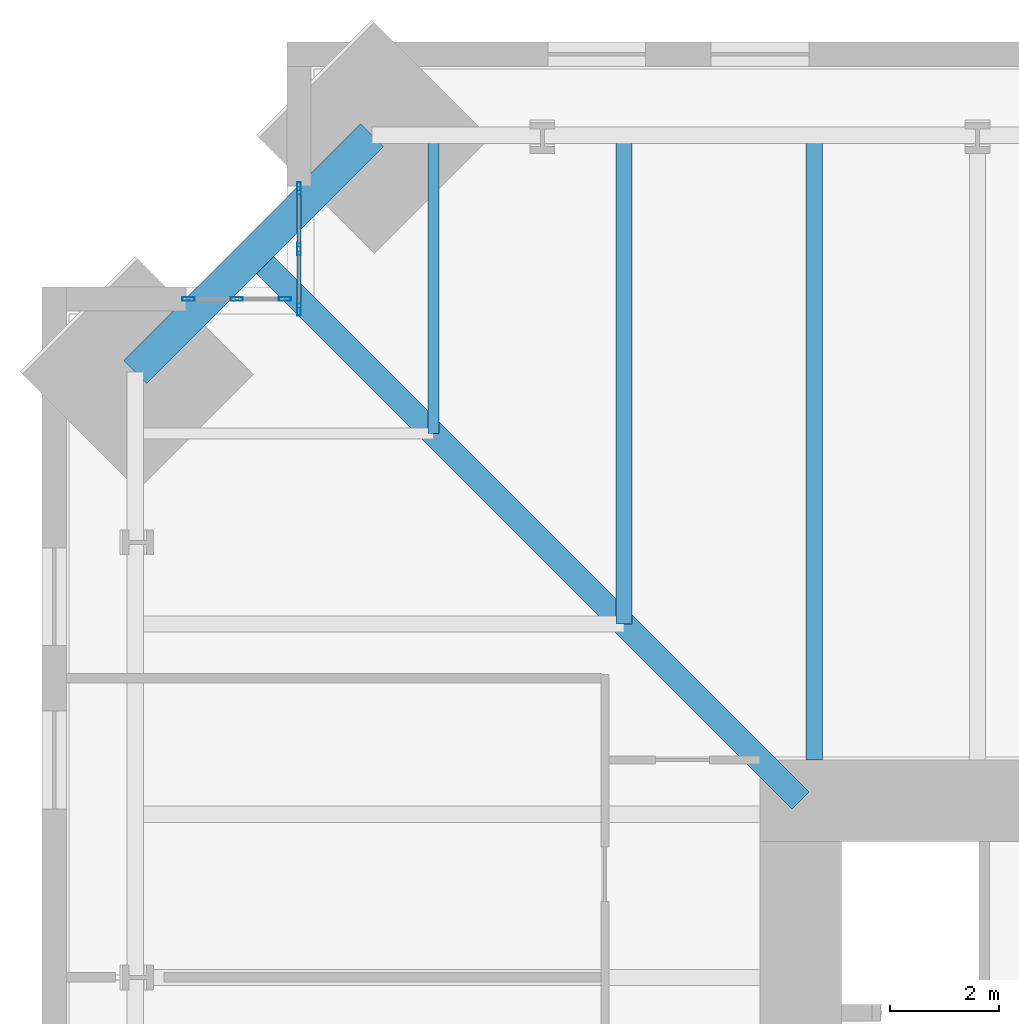
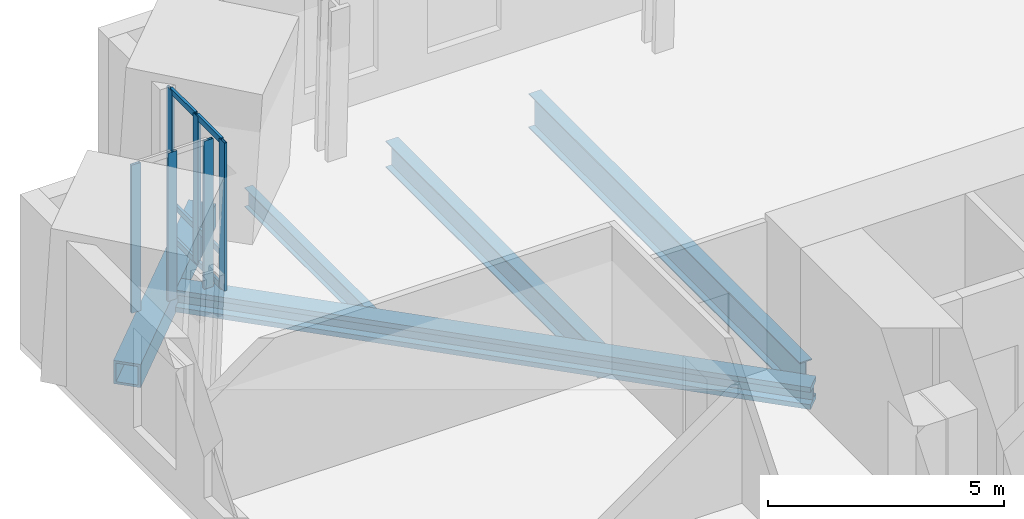
# One storey, part 6 of 15: 12 members, 5 beams, 2 elements without a shape of their own.
"""IFC4 building model written with IfcOpenShell, lengths in metres."""

import ifcopenshell
import ifcopenshell.guid

model = None  # the IFC model being written
_history = None  # IfcOwnerHistory: only IFC2X3 demands one
_inside = {}  # id of a spatial element -> (the spatial element, [elements in it])
_under = {}  # id of a project, library or spatial element -> (it, [spatial elements below it])
_declared = {}  # id of a project -> (the project, [libraries it declares])
_typed = {}  # id of a type object -> (the type object, [elements of that type])
_made_of = {}  # id of a material, layer set ... -> (it, [elements and type objects made of it])


def new_model(schema):
    """Start an empty IFC model of exactly this schema.

    Asked for "IFC4X3", IfcOpenShell would pick the latest addendum, in which some entities
    have other attributes; the version numbers below select the first issue.
    IFC2X3 requires an IfcOwnerHistory on every rooted entity: one is made here for all.
    """
    global model, _history
    if schema == "IFC4X3":
        model = ifcopenshell.file(schema_version=(4, 3, 0, 0))
    else:
        model = ifcopenshell.file(schema=schema)
    _inside.clear()
    _under.clear()
    _declared.clear()
    _typed.clear()
    _made_of.clear()
    _history = None
    if model.schema == "IFC2X3":
        org = make("IfcOrganization", Name="unknown")
        user = make(
            "IfcPersonAndOrganization",
            ThePerson=make("IfcPerson", FamilyName="unknown"),
            TheOrganization=org,
        )
        app = make(
            "IfcApplication",
            ApplicationDeveloper=org,
            Version="unknown",
            ApplicationFullName="unknown",
            ApplicationIdentifier="unknown",
        )
        _history = make(
            "IfcOwnerHistory",
            OwningUser=user,
            OwningApplication=app,
            ChangeAction="ADDED",
            CreationDate=0,
        )
    return model


def make(cls, **values):
    """One entity of the class cls with the attributes given. An attribute that is None is left unset."""
    return model.create_entity(
        cls, **{name: value for name, value in values.items() if value is not None}
    )


def rooted(cls, **values):
    """An entity with a GlobalId (a new one), such as an element, a storey or a relation."""
    return make(cls, GlobalId=ifcopenshell.guid.new(), OwnerHistory=_history, **values)


def si_unit(unit_type, name, prefix=None):
    """IfcSIUnit, for example si_unit("LENGTHUNIT", "METRE", prefix="MILLI")."""
    return make("IfcSIUnit", UnitType=unit_type, Prefix=prefix, Name=name)


def assignment(units):
    """IfcUnitAssignment: the units of a project."""
    return None if units is None else make("IfcUnitAssignment", Units=units)


def point(xyz):
    """IfcCartesianPoint."""
    return None if xyz is None else make("IfcCartesianPoint", Coordinates=xyz)


def direction(xyz):
    """IfcDirection."""
    return None if xyz is None else make("IfcDirection", DirectionRatios=xyz)


def frame(location, z_axis=None, x_axis=None):
    """IfcAxis2Placement3D, a coordinate frame: its origin and axes. An axis left out is left unset."""
    return make(
        "IfcAxis2Placement3D",
        Location=point(location),
        Axis=direction(z_axis),
        RefDirection=direction(x_axis),
    )


def frame_2d(location, x_axis=None):
    """IfcAxis2Placement2D, a coordinate frame in the plane: its origin and x axis."""
    return make(
        "IfcAxis2Placement2D", Location=point(location), RefDirection=direction(x_axis)
    )


def origin():
    """The frame at (0, 0, 0) with its axes left unset."""
    return frame((0.0, 0.0, 0.0))


def origin_2d():
    """The frame at (0, 0) in the plane with its x axis left unset."""
    return frame_2d((0.0, 0.0))


def place(relative_to, where):
    """IfcLocalPlacement: puts the frame where relative to a parent placement (None: the world)."""
    return make(
        "IfcLocalPlacement", PlacementRelTo=relative_to, RelativePlacement=where
    )


def context(
    kind, dimensions, precision=None, world=None, true_north=None, identifier=None
):
    """IfcGeometricRepresentationContext, for example the 3D "Model" context."""
    return make(
        "IfcGeometricRepresentationContext",
        ContextIdentifier=identifier,
        ContextType=kind,
        CoordinateSpaceDimension=dimensions,
        Precision=precision,
        WorldCoordinateSystem=world,
        TrueNorth=true_north,
    )


def subcontext(parent, identifier, kind, view, scale=None):
    """IfcGeometricRepresentationSubContext, for example "Body" below "Model"."""
    return make(
        "IfcGeometricRepresentationSubContext",
        ContextIdentifier=identifier,
        ContextType=kind,
        ParentContext=parent,
        TargetScale=scale,
        TargetView=view,
    )


def project(units=None, contexts=None):
    """IfcProject with its units and contexts."""
    return rooted(
        "IfcProject",
        Name="project",
        RepresentationContexts=contexts,
        UnitsInContext=assignment(units),
    )


def spatial(cls, under=None, at=None, **own):
    """A site, building, storey or space (cls), placed at a placement, below another one or the project."""
    s = rooted(cls, ObjectPlacement=at, **own)
    if under is not None:
        _under.setdefault(under.id(), (under, []))[1].append(s)
    return s


def profile(cls, at=None, kind="AREA", **sizes):
    """A parametric profile (cls). Its sizes go by their IFC names, for example OverallWidth=200.0."""
    return make(cls, ProfileType=kind, Position=at, **sizes)


def hollow_rectangle(**sizes):
    """IfcRectangleHollowProfileDef."""
    return profile("IfcRectangleHollowProfileDef", **sizes)


def i_section(**sizes):
    """IfcIShapeProfileDef."""
    return profile("IfcIShapeProfileDef", **sizes)


def extrude(swept, where, along, depth):
    """IfcExtrudedAreaSolid: the profile swept, set in the frame where, extruded along a direction by depth."""
    return make(
        "IfcExtrudedAreaSolid",
        SweptArea=swept,
        Position=where,
        ExtrudedDirection=direction(along),
        Depth=depth,
    )


def shape(context_of_items, identifier, shape_type, items):
    """IfcShapeRepresentation: the items that make up one representation, for example the "Body"."""
    return make(
        "IfcShapeRepresentation",
        ContextOfItems=context_of_items,
        RepresentationIdentifier=identifier,
        RepresentationType=shape_type,
        Items=items,
    )


def material(Name=None, Category=None):
    """IfcMaterial."""
    return make("IfcMaterial", Name=Name, Category=Category)


def material_profile(
    of_material, cross_section, Name=None, Category=None, Priority=None
):
    """IfcMaterialProfile: a cross section and its material."""
    return make(
        "IfcMaterialProfile",
        Name=Name,
        Material=of_material,
        Profile=cross_section,
        Priority=Priority,
        Category=Category,
    )


def profile_set(profiles, Name=None, composite=None):
    """IfcMaterialProfileSet."""
    return make(
        "IfcMaterialProfileSet",
        Name=Name,
        MaterialProfiles=profiles,
        CompositeProfile=composite,
    )


def made_of(thing, what):
    """Note that an element or type object is made of a material, layer set ...; save() writes the relation."""
    if what is not None:
        _made_of.setdefault(what.id(), (what, []))[1].append(thing)
    return thing


def type_object(cls, material=None, **own):
    """A type object (cls), such as IfcWallType, which elements share."""
    return made_of(rooted(cls, **own), material)


def element(
    cls,
    number,
    at=None,
    inside=None,
    cuts=None,
    type_object=None,
    material=None,
    context=None,
    identifier="Body",
    shape_type=None,
    held_by="IfcProductDefinitionShape",
    body=None,
    shapes=None,
    **own,
):
    """One element of the class cls, such as IfcWall. Its Tag is "e" and its number.

    at: its placement. inside: the storey or other place that contains it. cuts: it is an
    opening in that element (IfcRelVoidsElement). A single representation is given by context,
    identifier, shape_type and body (its items); several are given by shapes. held_by: the class
    of the entity that holds the representations. save() writes the other relations.
    """
    e = rooted(cls, Tag="e%d" % number, ObjectPlacement=at, **own)
    if body is not None:
        shapes = [shape(context, identifier, shape_type, body)]
    if shapes is not None:
        e.Representation = make(held_by, Representations=shapes)
    if inside is not None:
        _inside.setdefault(inside.id(), (inside, []))[1].append(e)
    if cuts is not None:
        rooted(
            "IfcRelVoidsElement", RelatingBuildingElement=cuts, RelatedOpeningElement=e
        )
    if type_object is not None:
        _typed.setdefault(type_object.id(), (type_object, []))[1].append(e)
    return made_of(e, material)


def aggregate(whole, parts):
    """IfcRelAggregates: a whole, such as a stair, and the parts it consists of."""
    return rooted("IfcRelAggregates", RelatingObject=whole, RelatedObjects=parts)


def save(model, path):
    """Write the relations noted so far, then the file.

    IfcRelAggregates (storeys below a building ...), IfcRelContainedInSpatialStructure (elements
    in a storey), IfcRelDefinesByType, IfcRelAssociatesMaterial and IfcRelDeclares: one each for
    every whole, place, type object, material and project.
    """
    for whole, parts in _under.values():
        aggregate(whole, parts)
    for where, things in _inside.values():
        rooted(
            "IfcRelContainedInSpatialStructure",
            RelatedElements=things,
            RelatingStructure=where,
        )
    for kind, things in _typed.values():
        rooted("IfcRelDefinesByType", RelatedObjects=things, RelatingType=kind)
    for what, things in _made_of.values():
        rooted("IfcRelAssociatesMaterial", RelatedObjects=things, RelatingMaterial=what)
    for by, libraries in _declared.values():
        rooted("IfcRelDeclares", RelatingContext=by, RelatedDefinitions=libraries)
    model.write(path)


model = new_model("IFC4")

# Units and contexts
model_context = context("Model", 3, precision=1e-05, world=origin(), true_north=direction((0.0, 1.0)))
body_context = subcontext(model_context, "Body", "Model", "MODEL_VIEW")
ifc_project = project(units=[si_unit("LENGTHUNIT", "METRE"), si_unit("AREAUNIT", "SQUARE_METRE"), si_unit("VOLUMEUNIT", "CUBIC_METRE"), si_unit("PLANEANGLEUNIT", "RADIAN"), si_unit("MASSUNIT", "GRAM", prefix="KILO")], contexts=[model_context])

# Site, building, storey
site_placement = place(None, origin())
site = spatial("IfcSite", under=ifc_project, at=site_placement, CompositionType="ELEMENT")
building_placement = place(site_placement, origin())
building = spatial("IfcBuilding", under=site, at=building_placement, Name="Peilmerk Tower", CompositionType="ELEMENT")
storey_placement = place(building_placement, frame((0.0, 0.0, 183.800048828125)))
storey = spatial("IfcBuildingStorey", under=building, at=storey_placement, Name="L39", CompositionType="ELEMENT", Elevation=183.800048828125)

# Beams
ifc_material_1 = material(Name="Steel S355", Category="steel")
ifc_material_profile_1 = material_profile(ifc_material_1, i_section(OverallWidth=0.300048828125, OverallDepth=0.68994140625, WebThickness=0.014404296875, FlangeThickness=0.027099609375, at=origin_2d()), Name="HEA 700")
ifc_profile_set_1 = profile_set([ifc_material_profile_1], Name="Steel S355")
beam_type_1 = type_object("IfcBeamType", Name="B16 HEA 700 floor beam", PredefinedType="BEAM", material=ifc_profile_set_1)
beam_1_placement = place(storey_placement, frame((-14.5, 14.5, -0.51513671875), z_axis=(0.0, 1.0, 0.0), x_axis=(-1.0, 0.0, 0.0)))
element("IfcBeam", 1, at=beam_1_placement, inside=storey, type_object=beam_type_1, Name="Floor beam L39", PredefinedType="BEAM", context=body_context, shape_type="SweptSolid", body=[
    extrude(i_section(OverallWidth=0.300048828125, OverallDepth=0.68994140625, WebThickness=0.014404296875, FlangeThickness=0.027099609375, at=origin_2d()), origin(), (0.0, 0.0, 1.0), 8.985595703125),
])
ifc_material_2 = material(Name="Steel S460", Category="steel")
ifc_material_profile_2 = material_profile(ifc_material_2, hollow_rectangle(XDim=0.60009765625, YDim=0.60009765625, WallThickness=0.06005859375, at=origin_2d()), Name="BOX 600x600x60")
ifc_profile_set_2 = profile_set([ifc_material_profile_2], Name="Steel S460")
beam_type_2 = type_object("IfcBeamType", Name="B20 BOX 600x600x60 notch beam", PredefinedType="SPANDREL", material=ifc_profile_set_2)
beam_2_placement = place(storey_placement, frame((-23.485595703125, 19.135498046875, -0.469970703125), z_axis=(0.707106781187, 0.707106781187, 0.0), x_axis=(-0.707106781187, 0.707106781187, 0.0)))
element("IfcBeam", 2, at=beam_2_placement, inside=storey, type_object=beam_type_2, Name="Notch beam L39", PredefinedType="SPANDREL", context=body_context, shape_type="SweptSolid", body=[
    extrude(hollow_rectangle(XDim=0.60009765625, YDim=0.60009765625, WallThickness=0.06005859375, at=origin_2d()), origin(), (0.0, 0.0, 1.0), 6.15185546875),
])
ifc_material_profile_3 = material_profile(ifc_material_1, i_section(OverallWidth=0.199951171875, OverallDepth=0.5, WebThickness=0.01025390625, FlangeThickness=0.01611328125, at=origin_2d()), Name="IPE 500")
ifc_profile_set_3 = profile_set([ifc_material_profile_3], Name="Steel S355")
beam_type_3 = type_object("IfcBeamType", Name="B32 IPE 500 floor beam", PredefinedType="BEAM", material=ifc_profile_set_3)
beam_3_placement = place(storey_placement, frame((-18.0, 18.0, -0.420166015625), z_axis=(0.0, 1.0, 0.0), x_axis=(-1.0, 0.0, 0.0)))
element("IfcBeam", 3, at=beam_3_placement, inside=storey, type_object=beam_type_3, Name="Floor beam L39", PredefinedType="BEAM", context=body_context, shape_type="SweptSolid", body=[
    extrude(i_section(OverallWidth=0.199951171875, OverallDepth=0.5, WebThickness=0.01025390625, FlangeThickness=0.01611328125, at=origin_2d()), origin(), (0.0, 0.0, 1.0), 5.485595703125),
])
ifc_material_profile_4 = material_profile(ifc_material_1, i_section(OverallWidth=0.300048828125, OverallDepth=0.889892578125, WebThickness=0.01611328125, FlangeThickness=0.030029296875, at=origin_2d()), Name="HEA 900")
ifc_profile_set_4 = profile_set([ifc_material_profile_4], Name="Steel S355")
beam_type_4 = type_object("IfcBeamType", Name="B4 HEA 900 floor beam", PredefinedType="BEAM", material=ifc_profile_set_4)
beam_4_placement = place(storey_placement, frame((-11.0, 12.0, -0.614990234375), z_axis=(0.0, 1.0, 0.0), x_axis=(-1.0, 0.0, 0.0)))
element("IfcBeam", 4, at=beam_4_placement, inside=storey, type_object=beam_type_4, Name="Floor beam L39", PredefinedType="BEAM", context=body_context, shape_type="SweptSolid", body=[
    extrude(i_section(OverallWidth=0.300048828125, OverallDepth=0.889892578125, WebThickness=0.01611328125, FlangeThickness=0.030029296875, at=origin_2d()), origin(), (0.0, 0.0, 1.0), 11.485595703125),
])
ifc_material_profile_5 = material_profile(ifc_material_2, i_section(OverallWidth=0.4541015625, OverallDepth=0.569091796875, WebThickness=0.077880859375, FlangeThickness=0.125, at=origin_2d()), Name="HD 400x1086")
ifc_profile_set_5 = profile_set([ifc_material_profile_5], Name="Steel S460")
beam_type_5 = type_object("IfcBeamType", Name="B9 HD 400x1086 corner girder", PredefinedType="BEAM", material=ifc_profile_set_5)
beam_5_placement = place(storey_placement, frame((-11.25, 11.25, -0.45458984375), z_axis=(-0.707106781187, 0.707106781187, 0.0), x_axis=(-0.707106781187, -0.707106781187, 0.0)))
element("IfcBeam", 5, at=beam_5_placement, inside=storey, type_object=beam_type_5, Name="Corner girder L39", PredefinedType="BEAM", context=body_context, shape_type="SweptSolid", body=[
    extrude(i_section(OverallWidth=0.4541015625, OverallDepth=0.569091796875, WebThickness=0.077880859375, FlangeThickness=0.125, at=origin_2d()), origin(), (0.0, 0.0, 1.0), 14.227783203125),
])

# Curtain wall, members
ifc_material_3 = material(Name="Aluminium stick curtain wall", Category="aluminium")
curtain_wall_type = type_object("IfcCurtainWallType", Name="CW3 stick curtain wall, 2250 module", PredefinedType="NOTDEFINED", material=ifc_material_3)
curtain_wall_1_placement = place(storey_placement, origin())
curtain_wall_1 = element("IfcCurtainWall", 6, at=curtain_wall_1_placement, inside=storey, type_object=curtain_wall_type, Name="Curtain wall CW3 NWA L39", PredefinedType="NOTDEFINED")
ifc_material_4 = material(Name="Aluminium EN AW-6063 T6", Category="aluminium")
ifc_material_profile_6 = material_profile(ifc_material_4, hollow_rectangle(XDim=0.06494140625, YDim=0.22509765625, WallThickness=0.00390625, at=origin_2d()), Name="AL 225x65x4")
ifc_profile_set_6 = profile_set([ifc_material_profile_6], Name="Aluminium EN AW-6063 T6")
member_type_1 = type_object("IfcMemberType", Name="CW3-M AL 225x65x4 mullion", PredefinedType="MULLION", material=ifc_profile_set_6)
member_1_placement = place(storey_placement, frame((-20.47509765625, 20.282470703125, 0.0), z_axis=(0.0, 0.0, 1.0), x_axis=(-1.0, 0.0, 0.0)))
member_1 = element("IfcMember", 7, at=member_1_placement, type_object=member_type_1, Name="CW3 mullion 1", PredefinedType="MULLION", context=body_context, shape_type="SweptSolid", body=[
    extrude(hollow_rectangle(XDim=0.06494140625, YDim=0.22509765625, WallThickness=0.00390625, at=origin_2d()), origin(), (0.0, 0.0, 1.0), 3.829833984375),
])
member_2_placement = place(storey_placement, frame((-20.47509765625, 21.394287109375, 0.0), z_axis=(0.0, 0.0, 1.0), x_axis=(-1.0, 0.0, 0.0)))
member_2 = element("IfcMember", 8, at=member_2_placement, type_object=member_type_1, Name="CW3 mullion 2", PredefinedType="MULLION", context=body_context, shape_type="SweptSolid", body=[
    extrude(hollow_rectangle(XDim=0.06494140625, YDim=0.22509765625, WallThickness=0.00390625, at=origin_2d()), origin(), (0.0, 0.0, 1.0), 3.829833984375),
])
member_3_placement = place(storey_placement, frame((-20.47509765625, 22.506103515625, 0.0), z_axis=(0.0, 0.0, 1.0), x_axis=(-1.0, 0.0, 0.0)))
member_3 = element("IfcMember", 9, at=member_3_placement, type_object=member_type_1, Name="CW3 mullion 3", PredefinedType="MULLION", context=body_context, shape_type="SweptSolid", body=[
    extrude(hollow_rectangle(XDim=0.06494140625, YDim=0.22509765625, WallThickness=0.00390625, at=origin_2d()), origin(), (0.0, 0.0, 1.0), 3.829833984375),
])

curtain_wall_2_placement = place(storey_placement, origin())
curtain_wall_2 = element("IfcCurtainWall", 10, at=curtain_wall_2_placement, inside=storey, type_object=curtain_wall_type, Name="Curtain wall CW3 NWB L39", PredefinedType="NOTDEFINED")
member_4_placement = place(storey_placement, frame((-20.732421875, 20.47509765625, 0.0), z_axis=(0.0, 0.0, 1.0), x_axis=(0.0, -1.0, 0.0)))
member_4 = element("IfcMember", 11, at=member_4_placement, type_object=member_type_1, Name="CW3 mullion 1", PredefinedType="MULLION", context=body_context, shape_type="SweptSolid", body=[
    extrude(hollow_rectangle(XDim=0.06494140625, YDim=0.22509765625, WallThickness=0.00390625, at=origin_2d()), origin(), (0.0, 0.0, 1.0), 3.829833984375),
])
member_5_placement = place(storey_placement, frame((-21.619384765625, 20.47509765625, 0.0), z_axis=(0.0, 0.0, 1.0), x_axis=(0.0, -1.0, 0.0)))
member_5 = element("IfcMember", 12, at=member_5_placement, type_object=member_type_1, Name="CW3 mullion 2", PredefinedType="MULLION", context=body_context, shape_type="SweptSolid", body=[
    extrude(hollow_rectangle(XDim=0.06494140625, YDim=0.22509765625, WallThickness=0.00390625, at=origin_2d()), origin(), (0.0, 0.0, 1.0), 3.829833984375),
])
member_6_placement = place(storey_placement, frame((-22.506103515625, 20.47509765625, 0.0), z_axis=(0.0, 0.0, 1.0), x_axis=(0.0, -1.0, 0.0)))
member_6 = element("IfcMember", 13, at=member_6_placement, type_object=member_type_1, Name="CW3 mullion 3", PredefinedType="MULLION", context=body_context, shape_type="SweptSolid", body=[
    extrude(hollow_rectangle(XDim=0.06494140625, YDim=0.22509765625, WallThickness=0.00390625, at=origin_2d()), origin(), (0.0, 0.0, 1.0), 3.829833984375),
])
aggregate(curtain_wall_2, [member_4, member_5, member_6])

# Member
ifc_material_profile_7 = material_profile(ifc_material_4, hollow_rectangle(XDim=0.06494140625, YDim=0.14990234375, WallThickness=0.0029296875, at=origin_2d()), Name="AL 150x65x3")
ifc_profile_set_7 = profile_set([ifc_material_profile_7], Name="Aluminium EN AW-6063 T6")
member_type_2 = type_object("IfcMemberType", Name="CW3-T AL 150x65x3 transom", PredefinedType="USERDEFINED", material=ifc_profile_set_7)
member_7_placement = place(storey_placement, frame((-20.47509765625, 20.31494140625, 0.032470703125), z_axis=(0.0, 1.0, 0.0), x_axis=(-1.0, 0.0, 0.0)))
member_7 = element("IfcMember", 14, at=member_7_placement, type_object=member_type_2, Name="CW3 transom 1.1", ObjectType="TRANSOM", PredefinedType="USERDEFINED", context=body_context, shape_type="SweptSolid", body=[
    extrude(hollow_rectangle(XDim=0.06494140625, YDim=0.14990234375, WallThickness=0.0029296875, at=origin_2d()), origin(), (0.0, 0.0, 1.0), 1.046875),
])

member_8_placement = place(storey_placement, frame((-20.47509765625, 20.31494140625, 0.89990234375), z_axis=(0.0, 1.0, 0.0), x_axis=(-1.0, 0.0, 0.0)))
member_8 = element("IfcMember", 15, at=member_8_placement, type_object=member_type_2, Name="CW3 transom 1.2", ObjectType="TRANSOM", PredefinedType="USERDEFINED", context=body_context, shape_type="SweptSolid", body=[
    extrude(hollow_rectangle(XDim=0.06494140625, YDim=0.14990234375, WallThickness=0.0029296875, at=origin_2d()), origin(), (0.0, 0.0, 1.0), 1.046875),
])

member_9_placement = place(storey_placement, frame((-20.47509765625, 20.31494140625, 3.79736328125), z_axis=(0.0, 1.0, 0.0), x_axis=(-1.0, 0.0, 0.0)))
member_9 = element("IfcMember", 16, at=member_9_placement, type_object=member_type_2, Name="CW3 transom 1.3", ObjectType="TRANSOM", PredefinedType="USERDEFINED", context=body_context, shape_type="SweptSolid", body=[
    extrude(hollow_rectangle(XDim=0.06494140625, YDim=0.14990234375, WallThickness=0.0029296875, at=origin_2d()), origin(), (0.0, 0.0, 1.0), 1.046875),
])

member_10_placement = place(storey_placement, frame((-20.47509765625, 21.4267578125, 0.032470703125), z_axis=(0.0, 1.0, 0.0), x_axis=(-1.0, 0.0, 0.0)))
member_10 = element("IfcMember", 17, at=member_10_placement, type_object=member_type_2, Name="CW3 transom 2.1", ObjectType="TRANSOM", PredefinedType="USERDEFINED", context=body_context, shape_type="SweptSolid", body=[
    extrude(hollow_rectangle(XDim=0.06494140625, YDim=0.14990234375, WallThickness=0.0029296875, at=origin_2d()), origin(), (0.0, 0.0, 1.0), 1.046875),
])

member_11_placement = place(storey_placement, frame((-20.47509765625, 21.4267578125, 0.89990234375), z_axis=(0.0, 1.0, 0.0), x_axis=(-1.0, 0.0, 0.0)))
member_11 = element("IfcMember", 18, at=member_11_placement, type_object=member_type_2, Name="CW3 transom 2.2", ObjectType="TRANSOM", PredefinedType="USERDEFINED", context=body_context, shape_type="SweptSolid", body=[
    extrude(hollow_rectangle(XDim=0.06494140625, YDim=0.14990234375, WallThickness=0.0029296875, at=origin_2d()), origin(), (0.0, 0.0, 1.0), 1.046875),
])

member_12_placement = place(storey_placement, frame((-20.47509765625, 21.4267578125, 3.79736328125), z_axis=(0.0, 1.0, 0.0), x_axis=(-1.0, 0.0, 0.0)))
member_12 = element("IfcMember", 19, at=member_12_placement, type_object=member_type_2, Name="CW3 transom 2.3", ObjectType="TRANSOM", PredefinedType="USERDEFINED", context=body_context, shape_type="SweptSolid", body=[
    extrude(hollow_rectangle(XDim=0.06494140625, YDim=0.14990234375, WallThickness=0.0029296875, at=origin_2d()), origin(), (0.0, 0.0, 1.0), 1.046875),
])

aggregate(curtain_wall_1, [member_1, member_2, member_3, member_7, member_8, member_9, member_10, member_11, member_12])

save(model, "model.ifc")
